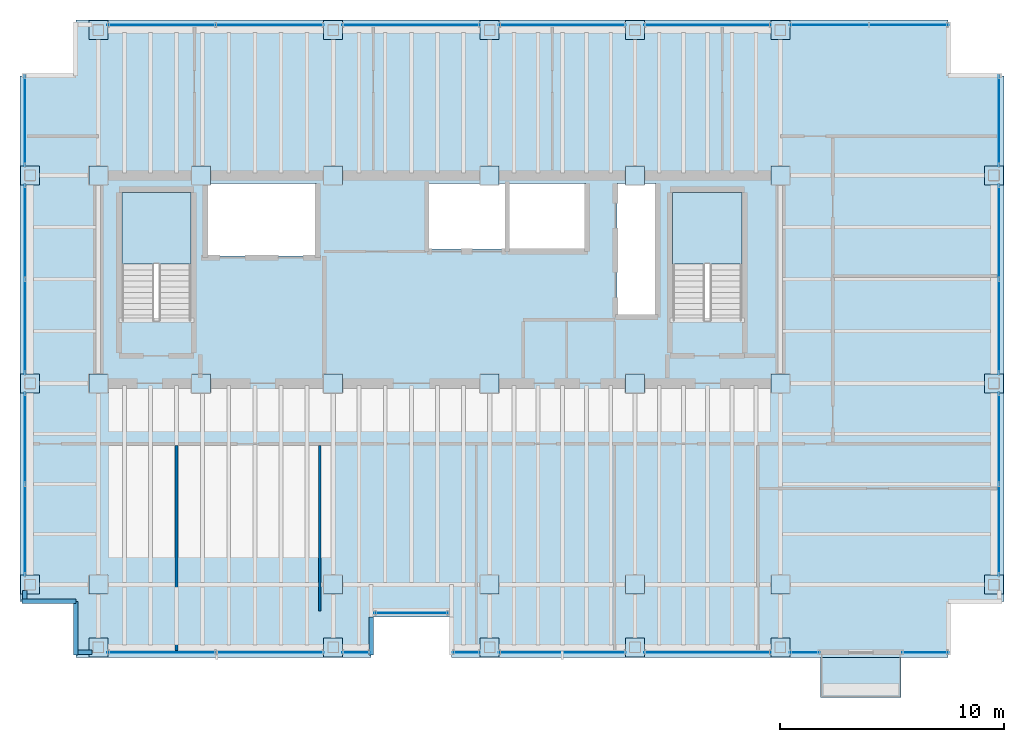
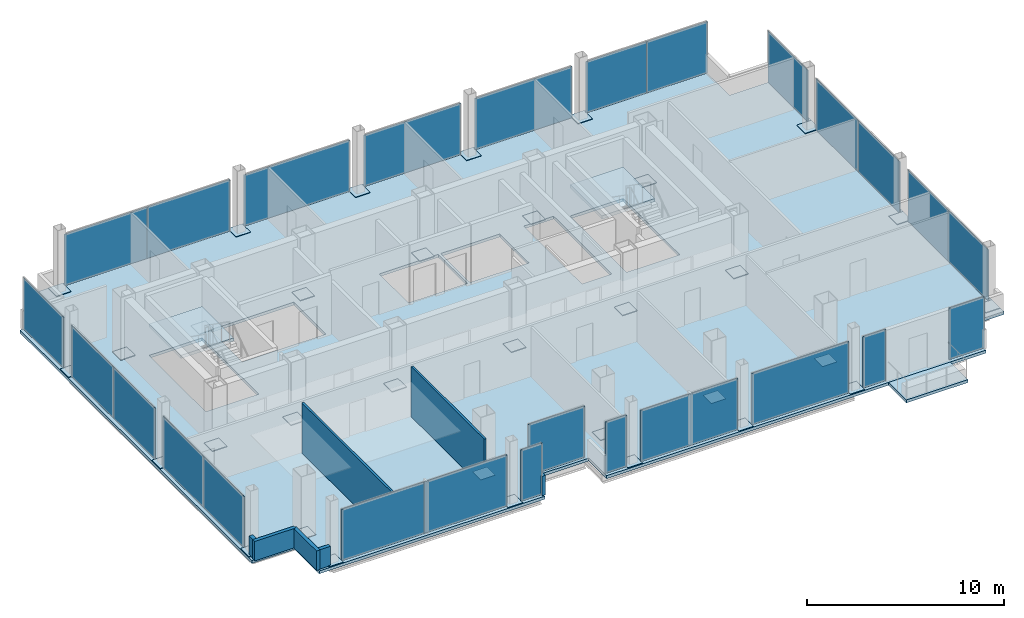
# One storey, part 12 of 16: 59 plates, 7 walls, 4 slabs, 6 openings, 21 elements without a shape of their own.
"""IFC4 building model written with IfcOpenShell, lengths in metres."""

from ifc_helpers import new_model, si_unit, direction, frame, frame_2d, origin, origin_2d, place, context, subcontext, project, spatial, polyline, rectangle, outline, extrude, material, layer, layer_set, type_object, element, aggregate, save


model = new_model("IFC4")

# Units and contexts
model_context = context("Model", 3, precision=1e-05, world=origin(), true_north=direction((0.0, 1.0)))
body_context = subcontext(model_context, "Body", "Model", "MODEL_VIEW")
ifc_project = project(units=[si_unit("LENGTHUNIT", "METRE"), si_unit("AREAUNIT", "SQUARE_METRE"), si_unit("VOLUMEUNIT", "CUBIC_METRE"), si_unit("PLANEANGLEUNIT", "RADIAN"), si_unit("MASSUNIT", "GRAM", prefix="KILO")], contexts=[model_context])

# Site, building, storey
site_placement = place(None, origin())
site = spatial("IfcSite", under=ifc_project, at=site_placement, CompositionType="ELEMENT")
building_placement = place(site_placement, origin())
building = spatial("IfcBuilding", under=site, at=building_placement, Name="Noeulbin Bourse Tower", CompositionType="ELEMENT")
storey_placement = place(building_placement, frame((0.0, 0.0, 181.199951171875)))
storey = spatial("IfcBuildingStorey", under=building, at=storey_placement, Name="L45", CompositionType="ELEMENT", Elevation=181.199951171875)

# Curtain wall, plate
ifc_material_1 = material(Name="Dark Tinted Triple Glazing", Category="glass")
curtain_wall_type = type_object("IfcCurtainWallType", Name="CW-SYS-3", PredefinedType="NOTDEFINED", material=ifc_material_1)
curtain_wall_1_placement = place(storey_placement, origin())
curtain_wall_1 = element("IfcCurtainWall", 1, at=curtain_wall_1_placement, inside=storey, type_object=curtain_wall_type, Name="Unitised Curtain Wall CW-L45-SREC", PredefinedType="NOTDEFINED")
ifc_layer_1 = layer(ifc_material_1, 0.035888671875)
ifc_layer_set_1 = layer_set([ifc_layer_1], Name="Dark Tinted Triple Glazing")
plate_type_1 = type_object("IfcPlateType", Name="CW-SYS-3-PNL", PredefinedType="CURTAIN_PANEL", material=ifc_layer_set_1)
plate_1_placement = place(storey_placement, frame((27.5, 18.72998046875, 0.0), z_axis=(0.0, 0.0, 1.0), x_axis=(1.0, 0.0, 0.0)))
plate_1 = element("IfcPlate", 2, at=plate_1_placement, type_object=plate_type_1, Name="Glazed Curtain Panel CW-L45-SREC-P00", PredefinedType="CURTAIN_PANEL", context=body_context, shape_type="SweptSolid", body=[
    extrude(rectangle(XDim=3.300048828125, YDim=0.035888671875, at=origin_2d()), origin(), (0.0, 0.0, 1.0), 3.179931640625),
])
aggregate(curtain_wall_1, [plate_1])

# Curtain wall, plates
curtain_wall_2_placement = place(storey_placement, origin())
curtain_wall_2 = element("IfcCurtainWall", 3, at=curtain_wall_2_placement, inside=storey, type_object=curtain_wall_type, Name="Unitised Curtain Wall CW-L45-S1-S1", PredefinedType="NOTDEFINED")
plate_2_placement = place(storey_placement, frame((16.330078125, 16.969970703125, 0.0), z_axis=(0.0, 0.0, 1.0), x_axis=(1.0, 0.0, 0.0)))
plate_2 = element("IfcPlate", 4, at=plate_2_placement, type_object=plate_type_1, Name="Glazed Curtain Panel CW-L45-S1-S1-P00", PredefinedType="CURTAIN_PANEL", context=body_context, shape_type="SweptSolid", body=[
    extrude(rectangle(XDim=4.840087890625, YDim=0.035888671875, at=origin_2d()), origin(), (0.0, 0.0, 1.0), 3.179931640625),
])
plate_3_placement = place(storey_placement, frame((21.169921875, 16.969970703125, 0.0), z_axis=(0.0, 0.0, 1.0), x_axis=(1.0, 0.0, 0.0)))
plate_3 = element("IfcPlate", 5, at=plate_3_placement, type_object=plate_type_1, Name="Glazed Curtain Panel CW-L45-S1-S1-P01", PredefinedType="CURTAIN_PANEL", context=body_context, shape_type="SweptSolid", body=[
    extrude(rectangle(XDim=4.840087890625, YDim=0.035888671875, at=origin_2d()), origin(), (0.0, 0.0, 1.0), 3.179931640625),
])
aggregate(curtain_wall_2, [plate_2, plate_3])

# Curtain wall, plate
curtain_wall_3_placement = place(storey_placement, origin())
curtain_wall_3 = element("IfcCurtainWall", 6, at=curtain_wall_3_placement, inside=storey, type_object=curtain_wall_type, Name="Unitised Curtain Wall CW-L45-S1-S2", PredefinedType="NOTDEFINED")
plate_4_placement = place(storey_placement, frame((25.030029296875, 16.969970703125, 0.0), z_axis=(0.0, 0.0, 1.0), x_axis=(1.0, 0.0, 0.0)))
plate_4 = element("IfcPlate", 7, at=plate_4_placement, type_object=plate_type_1, Name="Glazed Curtain Panel CW-L45-S1-S2-P00", PredefinedType="CURTAIN_PANEL", context=body_context, shape_type="SweptSolid", body=[
    extrude(rectangle(XDim=1.239990234375, YDim=0.035888671875, at=origin_2d()), origin(), (0.0, 0.0, 1.0), 3.179931640625),
])
aggregate(curtain_wall_3, [plate_4])

curtain_wall_4_placement = place(storey_placement, origin())
curtain_wall_4 = element("IfcCurtainWall", 8, at=curtain_wall_4_placement, inside=storey, type_object=curtain_wall_type, Name="Unitised Curtain Wall CW-L45-S2-S1", PredefinedType="NOTDEFINED")
plate_5_placement = place(storey_placement, frame((29.969970703125, 16.969970703125, 0.0), z_axis=(0.0, 0.0, 1.0), x_axis=(1.0, 0.0, 0.0)))
plate_5 = element("IfcPlate", 9, at=plate_5_placement, type_object=plate_type_1, Name="Glazed Curtain Panel CW-L45-S2-S1-P00", PredefinedType="CURTAIN_PANEL", context=body_context, shape_type="SweptSolid", body=[
    extrude(rectangle(XDim=1.239990234375, YDim=0.035888671875, at=origin_2d()), origin(), (0.0, 0.0, 1.0), 3.179931640625),
])
aggregate(curtain_wall_4, [plate_5])

curtain_wall_5_placement = place(storey_placement, origin())
curtain_wall_5 = element("IfcCurtainWall", 10, at=curtain_wall_5_placement, inside=storey, type_object=curtain_wall_type, Name="Unitised Curtain Wall CW-L45-S2-S2", PredefinedType="NOTDEFINED")
plate_6_placement = place(storey_placement, frame((34.25, 16.969970703125, 0.0), z_axis=(0.0, 0.0, 1.0), x_axis=(1.0, 0.0, 0.0)))
plate_6 = element("IfcPlate", 11, at=plate_6_placement, type_object=plate_type_1, Name="Glazed Curtain Panel CW-L45-S2-S2-P00", PredefinedType="CURTAIN_PANEL", context=body_context, shape_type="SweptSolid", body=[
    extrude(rectangle(XDim=5.679931640625, YDim=0.035888671875, at=origin_2d()), origin(), (0.0, 0.0, 1.0), 3.179931640625),
])
aggregate(curtain_wall_5, [plate_6])

curtain_wall_6_placement = place(storey_placement, origin())
curtain_wall_6 = element("IfcCurtainWall", 12, at=curtain_wall_6_placement, inside=storey, type_object=curtain_wall_type, Name="Unitised Curtain Wall CW-L45-S2-S3", PredefinedType="NOTDEFINED")
plate_7_placement = place(storey_placement, frame((40.75, 16.969970703125, 0.0), z_axis=(0.0, 0.0, 1.0), x_axis=(1.0, 0.0, 0.0)))
plate_7 = element("IfcPlate", 13, at=plate_7_placement, type_object=plate_type_1, Name="Glazed Curtain Panel CW-L45-S2-S3-P00", PredefinedType="CURTAIN_PANEL", context=body_context, shape_type="SweptSolid", body=[
    extrude(rectangle(XDim=5.679931640625, YDim=0.035888671875, at=origin_2d()), origin(), (0.0, 0.0, 1.0), 3.179931640625),
])
aggregate(curtain_wall_6, [plate_7])

curtain_wall_7_placement = place(storey_placement, origin())
curtain_wall_7 = element("IfcCurtainWall", 14, at=curtain_wall_7_placement, inside=storey, type_object=curtain_wall_type, Name="Unitised Curtain Wall CW-L45-S2-S4", PredefinedType="NOTDEFINED")
plate_8_placement = place(storey_placement, frame((45.080078125, 16.969970703125, 0.0), z_axis=(0.0, 0.0, 1.0), x_axis=(1.0, 0.0, 0.0)))
plate_8 = element("IfcPlate", 15, at=plate_8_placement, type_object=plate_type_1, Name="Glazed Curtain Panel CW-L45-S2-S4-P00", PredefinedType="CURTAIN_PANEL", context=body_context, shape_type="SweptSolid", body=[
    extrude(rectangle(XDim=1.340087890625, YDim=0.035888671875, at=origin_2d()), origin(), (0.0, 0.0, 1.0), 3.179931640625),
])
aggregate(curtain_wall_7, [plate_8])

curtain_wall_8_placement = place(storey_placement, origin())
curtain_wall_8 = element("IfcCurtainWall", 16, at=curtain_wall_8_placement, inside=storey, type_object=curtain_wall_type, Name="Unitised Curtain Wall CW-L45-S3", PredefinedType="NOTDEFINED")
plate_9_placement = place(storey_placement, frame((50.485107421875, 16.969970703125, 0.0), z_axis=(0.0, 0.0, 1.0), x_axis=(1.0, 0.0, 0.0)))
plate_9 = element("IfcPlate", 17, at=plate_9_placement, type_object=plate_type_1, Name="Glazed Curtain Panel CW-L45-S3-P00", PredefinedType="CURTAIN_PANEL", context=body_context, shape_type="SweptSolid", body=[
    extrude(rectangle(XDim=2.070068359375, YDim=0.035888671875, at=origin_2d()), origin(), (0.0, 0.0, 1.0), 3.179931640625),
])
aggregate(curtain_wall_8, [plate_9])

# Curtain wall, plates
curtain_wall_9_placement = place(storey_placement, origin())
curtain_wall_9 = element("IfcCurtainWall", 18, at=curtain_wall_9_placement, inside=storey, type_object=curtain_wall_type, Name="Unitised Curtain Wall CW-L45-N-S1", PredefinedType="NOTDEFINED")
plate_10_placement = place(storey_placement, frame((16.330078125, 45.030029296875, 0.0), z_axis=(0.0, 0.0, 1.0), x_axis=(1.0, 0.0, 0.0)))
plate_10 = element("IfcPlate", 19, at=plate_10_placement, type_object=plate_type_1, Name="Glazed Curtain Panel CW-L45-N-S1-P00", PredefinedType="CURTAIN_PANEL", context=body_context, shape_type="SweptSolid", body=[
    extrude(rectangle(XDim=4.840087890625, YDim=0.035888671875, at=origin_2d()), origin(), (0.0, 0.0, 1.0), 3.179931640625),
])
plate_11_placement = place(storey_placement, frame((21.169921875, 45.030029296875, 0.0), z_axis=(0.0, 0.0, 1.0), x_axis=(1.0, 0.0, 0.0)))
plate_11 = element("IfcPlate", 20, at=plate_11_placement, type_object=plate_type_1, Name="Glazed Curtain Panel CW-L45-N-S1-P01", PredefinedType="CURTAIN_PANEL", context=body_context, shape_type="SweptSolid", body=[
    extrude(rectangle(XDim=4.840087890625, YDim=0.035888671875, at=origin_2d()), origin(), (0.0, 0.0, 1.0), 3.179931640625),
])
aggregate(curtain_wall_9, [plate_10, plate_11])

# Curtain wall, plate
curtain_wall_10_placement = place(storey_placement, origin())
curtain_wall_10 = element("IfcCurtainWall", 21, at=curtain_wall_10_placement, inside=storey, type_object=curtain_wall_type, Name="Unitised Curtain Wall CW-L45-N-S2", PredefinedType="NOTDEFINED")
plate_12_placement = place(storey_placement, frame((27.5, 45.030029296875, 0.0), z_axis=(0.0, 0.0, 1.0), x_axis=(1.0, 0.0, 0.0)))
plate_12 = element("IfcPlate", 22, at=plate_12_placement, type_object=plate_type_1, Name="Glazed Curtain Panel CW-L45-N-S2-P00", PredefinedType="CURTAIN_PANEL", context=body_context, shape_type="SweptSolid", body=[
    extrude(rectangle(XDim=6.179931640625, YDim=0.035888671875, at=origin_2d()), origin(), (0.0, 0.0, 1.0), 3.179931640625),
])
aggregate(curtain_wall_10, [plate_12])

curtain_wall_11_placement = place(storey_placement, origin())
curtain_wall_11 = element("IfcCurtainWall", 23, at=curtain_wall_11_placement, inside=storey, type_object=curtain_wall_type, Name="Unitised Curtain Wall CW-L45-N-S3", PredefinedType="NOTDEFINED")
plate_13_placement = place(storey_placement, frame((34.25, 45.030029296875, 0.0), z_axis=(0.0, 0.0, 1.0), x_axis=(1.0, 0.0, 0.0)))
plate_13 = element("IfcPlate", 24, at=plate_13_placement, type_object=plate_type_1, Name="Glazed Curtain Panel CW-L45-N-S3-P00", PredefinedType="CURTAIN_PANEL", context=body_context, shape_type="SweptSolid", body=[
    extrude(rectangle(XDim=5.679931640625, YDim=0.035888671875, at=origin_2d()), origin(), (0.0, 0.0, 1.0), 3.179931640625),
])
aggregate(curtain_wall_11, [plate_13])

curtain_wall_12_placement = place(storey_placement, origin())
curtain_wall_12 = element("IfcCurtainWall", 25, at=curtain_wall_12_placement, inside=storey, type_object=curtain_wall_type, Name="Unitised Curtain Wall CW-L45-N-S4", PredefinedType="NOTDEFINED")
plate_14_placement = place(storey_placement, frame((40.75, 45.030029296875, 0.0), z_axis=(0.0, 0.0, 1.0), x_axis=(1.0, 0.0, 0.0)))
plate_14 = element("IfcPlate", 26, at=plate_14_placement, type_object=plate_type_1, Name="Glazed Curtain Panel CW-L45-N-S4-P00", PredefinedType="CURTAIN_PANEL", context=body_context, shape_type="SweptSolid", body=[
    extrude(rectangle(XDim=5.679931640625, YDim=0.035888671875, at=origin_2d()), origin(), (0.0, 0.0, 1.0), 3.179931640625),
])
aggregate(curtain_wall_12, [plate_14])

# Curtain wall, plates
curtain_wall_13_placement = place(storey_placement, origin())
curtain_wall_13 = element("IfcCurtainWall", 27, at=curtain_wall_13_placement, inside=storey, type_object=curtain_wall_type, Name="Unitised Curtain Wall CW-L45-N-S5", PredefinedType="NOTDEFINED")
plate_15_placement = place(storey_placement, frame((46.1875, 45.030029296875, 0.0), z_axis=(0.0, 0.0, 1.0), x_axis=(1.0, 0.0, 0.0)))
plate_15 = element("IfcPlate", 28, at=plate_15_placement, type_object=plate_type_1, Name="Glazed Curtain Panel CW-L45-N-S5-P00", PredefinedType="CURTAIN_PANEL", context=body_context, shape_type="SweptSolid", body=[
    extrude(rectangle(XDim=3.554931640625, YDim=0.035888671875, at=origin_2d()), origin(), (0.0, 0.0, 1.0), 3.179931640625),
])
plate_16_placement = place(storey_placement, frame((49.742431640625, 45.030029296875, 0.0), z_axis=(0.0, 0.0, 1.0), x_axis=(1.0, 0.0, 0.0)))
plate_16 = element("IfcPlate", 29, at=plate_16_placement, type_object=plate_type_1, Name="Glazed Curtain Panel CW-L45-N-S5-P01", PredefinedType="CURTAIN_PANEL", context=body_context, shape_type="SweptSolid", body=[
    extrude(rectangle(XDim=3.554931640625, YDim=0.035888671875, at=origin_2d()), origin(), (0.0, 0.0, 1.0), 3.179931640625),
])
aggregate(curtain_wall_13, [plate_15, plate_16])

curtain_wall_14_placement = place(storey_placement, origin())
curtain_wall_14 = element("IfcCurtainWall", 30, at=curtain_wall_14_placement, inside=storey, type_object=curtain_wall_type, Name="Unitised Curtain Wall CW-L45-W-S1", PredefinedType="NOTDEFINED")
plate_17_placement = place(storey_placement, frame((10.219970703125, 22.455078125, 0.0), z_axis=(0.0, 0.0, 1.0), x_axis=(0.0, 1.0, 0.0)))
plate_17 = element("IfcPlate", 31, at=plate_17_placement, type_object=plate_type_1, Name="Glazed Curtain Panel CW-L45-W-S1-P00", PredefinedType="CURTAIN_PANEL", context=body_context, shape_type="SweptSolid", body=[
    extrude(rectangle(XDim=4.090087890625, YDim=0.035888671875, at=origin_2d()), origin(), (0.0, 0.0, 1.0), 3.179931640625),
])
plate_18_placement = place(storey_placement, frame((10.219970703125, 26.544921875, 0.0), z_axis=(0.0, 0.0, 1.0), x_axis=(0.0, 1.0, 0.0)))
plate_18 = element("IfcPlate", 32, at=plate_18_placement, type_object=plate_type_1, Name="Glazed Curtain Panel CW-L45-W-S1-P01", PredefinedType="CURTAIN_PANEL", context=body_context, shape_type="SweptSolid", body=[
    extrude(rectangle(XDim=4.090087890625, YDim=0.035888671875, at=origin_2d()), origin(), (0.0, 0.0, 1.0), 3.179931640625),
])
aggregate(curtain_wall_14, [plate_17, plate_18])

curtain_wall_15_placement = place(storey_placement, origin())
curtain_wall_15 = element("IfcCurtainWall", 33, at=curtain_wall_15_placement, inside=storey, type_object=curtain_wall_type, Name="Unitised Curtain Wall CW-L45-W-S2", PredefinedType="NOTDEFINED")
plate_19_placement = place(storey_placement, frame((10.219970703125, 31.530029296875, 0.0), z_axis=(0.0, 0.0, 1.0), x_axis=(0.0, 1.0, 0.0)))
plate_19 = element("IfcPlate", 34, at=plate_19_placement, type_object=plate_type_1, Name="Glazed Curtain Panel CW-L45-W-S2-P00", PredefinedType="CURTAIN_PANEL", context=body_context, shape_type="SweptSolid", body=[
    extrude(rectangle(XDim=4.239990234375, YDim=0.035888671875, at=origin_2d()), origin(), (0.0, 0.0, 1.0), 3.179931640625),
])
plate_20_placement = place(storey_placement, frame((10.219970703125, 35.77001953125, 0.0), z_axis=(0.0, 0.0, 1.0), x_axis=(0.0, 1.0, 0.0)))
plate_20 = element("IfcPlate", 35, at=plate_20_placement, type_object=plate_type_1, Name="Glazed Curtain Panel CW-L45-W-S2-P01", PredefinedType="CURTAIN_PANEL", context=body_context, shape_type="SweptSolid", body=[
    extrude(rectangle(XDim=4.239990234375, YDim=0.035888671875, at=origin_2d()), origin(), (0.0, 0.0, 1.0), 3.179931640625),
])
aggregate(curtain_wall_15, [plate_19, plate_20])

# Curtain wall, plate
curtain_wall_16_placement = place(storey_placement, origin())
curtain_wall_16 = element("IfcCurtainWall", 36, at=curtain_wall_16_placement, inside=storey, type_object=curtain_wall_type, Name="Unitised Curtain Wall CW-L45-W-S3", PredefinedType="NOTDEFINED")
plate_21_placement = place(storey_placement, frame((10.219970703125, 40.739990234375, 0.0), z_axis=(0.0, 0.0, 1.0), x_axis=(0.0, 1.0, 0.0)))
plate_21 = element("IfcPlate", 37, at=plate_21_placement, type_object=plate_type_1, Name="Glazed Curtain Panel CW-L45-W-S3-P00", PredefinedType="CURTAIN_PANEL", context=body_context, shape_type="SweptSolid", body=[
    extrude(rectangle(XDim=4.06005859375, YDim=0.035888671875, at=origin_2d()), origin(), (0.0, 0.0, 1.0), 3.179931640625),
])
aggregate(curtain_wall_16, [plate_21])

# Curtain wall, plates
curtain_wall_17_placement = place(storey_placement, origin())
curtain_wall_17 = element("IfcCurtainWall", 38, at=curtain_wall_17_placement, inside=storey, type_object=curtain_wall_type, Name="Unitised Curtain Wall CW-L45-E-S1", PredefinedType="NOTDEFINED")
plate_22_placement = place(storey_placement, frame((53.780029296875, 22.455078125, 0.0), z_axis=(0.0, 0.0, 1.0), x_axis=(0.0, 1.0, 0.0)))
plate_22 = element("IfcPlate", 39, at=plate_22_placement, type_object=plate_type_1, Name="Glazed Curtain Panel CW-L45-E-S1-P00", PredefinedType="CURTAIN_PANEL", context=body_context, shape_type="SweptSolid", body=[
    extrude(rectangle(XDim=4.090087890625, YDim=0.035888671875, at=origin_2d()), origin(), (0.0, 0.0, 1.0), 3.179931640625),
])
plate_23_placement = place(storey_placement, frame((53.780029296875, 26.544921875, 0.0), z_axis=(0.0, 0.0, 1.0), x_axis=(0.0, 1.0, 0.0)))
plate_23 = element("IfcPlate", 40, at=plate_23_placement, type_object=plate_type_1, Name="Glazed Curtain Panel CW-L45-E-S1-P01", PredefinedType="CURTAIN_PANEL", context=body_context, shape_type="SweptSolid", body=[
    extrude(rectangle(XDim=4.090087890625, YDim=0.035888671875, at=origin_2d()), origin(), (0.0, 0.0, 1.0), 3.179931640625),
])
aggregate(curtain_wall_17, [plate_22, plate_23])

curtain_wall_18_placement = place(storey_placement, origin())
curtain_wall_18 = element("IfcCurtainWall", 41, at=curtain_wall_18_placement, inside=storey, type_object=curtain_wall_type, Name="Unitised Curtain Wall CW-L45-E-S2", PredefinedType="NOTDEFINED")
plate_24_placement = place(storey_placement, frame((53.780029296875, 31.530029296875, 0.0), z_axis=(0.0, 0.0, 1.0), x_axis=(0.0, 1.0, 0.0)))
plate_24 = element("IfcPlate", 42, at=plate_24_placement, type_object=plate_type_1, Name="Glazed Curtain Panel CW-L45-E-S2-P00", PredefinedType="CURTAIN_PANEL", context=body_context, shape_type="SweptSolid", body=[
    extrude(rectangle(XDim=4.239990234375, YDim=0.035888671875, at=origin_2d()), origin(), (0.0, 0.0, 1.0), 3.179931640625),
])
plate_25_placement = place(storey_placement, frame((53.780029296875, 35.77001953125, 0.0), z_axis=(0.0, 0.0, 1.0), x_axis=(0.0, 1.0, 0.0)))
plate_25 = element("IfcPlate", 43, at=plate_25_placement, type_object=plate_type_1, Name="Glazed Curtain Panel CW-L45-E-S2-P01", PredefinedType="CURTAIN_PANEL", context=body_context, shape_type="SweptSolid", body=[
    extrude(rectangle(XDim=4.239990234375, YDim=0.035888671875, at=origin_2d()), origin(), (0.0, 0.0, 1.0), 3.179931640625),
])
aggregate(curtain_wall_18, [plate_24, plate_25])

# Curtain wall, plate
curtain_wall_19_placement = place(storey_placement, origin())
curtain_wall_19 = element("IfcCurtainWall", 44, at=curtain_wall_19_placement, inside=storey, type_object=curtain_wall_type, Name="Unitised Curtain Wall CW-L45-E-S3", PredefinedType="NOTDEFINED")
plate_26_placement = place(storey_placement, frame((53.780029296875, 40.739990234375, 0.0), z_axis=(0.0, 0.0, 1.0), x_axis=(0.0, 1.0, 0.0)))
plate_26 = element("IfcPlate", 45, at=plate_26_placement, type_object=plate_type_1, Name="Glazed Curtain Panel CW-L45-E-S3-P00", PredefinedType="CURTAIN_PANEL", context=body_context, shape_type="SweptSolid", body=[
    extrude(rectangle(XDim=4.06005859375, YDim=0.035888671875, at=origin_2d()), origin(), (0.0, 0.0, 1.0), 3.179931640625),
])
aggregate(curtain_wall_19, [plate_26])

# Plates
ifc_material_2 = material(Name="Steel S355", Category="steel")
ifc_layer_2 = layer(ifc_material_2, 0.030029296875)
ifc_layer_set_2 = layer_set([ifc_layer_2], Name="Steel S355")
plate_type_2 = type_object("IfcPlateType", Name="PLT-BN1", PredefinedType="USERDEFINED", material=ifc_layer_set_2)
for number, where, z_axis, x_axis, name in (
    (46, (13.5, 29.0, 0.0048828125), (0.0, 0.0, 1.0), (1.0, 0.0, 0.0), "Mega-Column Splice Plate BN1-L45-01"),
    (47, (13.5, 38.300048828125, 0.0048828125), (0.0, 0.0, 1.0), (1.0, 0.0, 0.0), "Mega-Column Splice Plate BN1-L45-02"),
    (48, (18.10009765625, 29.0, 0.0048828125), (0.0, 0.0, 1.0), (1.0, 0.0, 0.0), "Mega-Column Splice Plate BN1-L45-03"),
    (49, (18.10009765625, 38.300048828125, 0.0048828125), (0.0, 0.0, 1.0), (1.0, 0.0, 0.0), "Mega-Column Splice Plate BN1-L45-04"),
    (50, (24.0, 29.0, 0.0048828125), (0.0, 0.0, 1.0), (1.0, 0.0, 0.0), "Mega-Column Splice Plate BN1-L45-05"),
    (51, (24.0, 38.300048828125, 0.0048828125), (0.0, 0.0, 1.0), (1.0, 0.0, 0.0), "Mega-Column Splice Plate BN1-L45-06"),
    (52, (31.0, 29.0, 0.0048828125), (0.0, 0.0, 1.0), (1.0, 0.0, 0.0), "Mega-Column Splice Plate BN1-L45-07"),
    (53, (31.0, 38.300048828125, 0.0048828125), (0.0, 0.0, 1.0), (1.0, 0.0, 0.0), "Mega-Column Splice Plate BN1-L45-08"),
    (54, (37.5, 29.0, 0.0048828125), (0.0, 0.0, 1.0), (1.0, 0.0, 0.0), "Mega-Column Splice Plate BN1-L45-09"),
    (55, (37.5, 38.300048828125, 0.0048828125), (0.0, 0.0, 1.0), (1.0, 0.0, 0.0), "Mega-Column Splice Plate BN1-L45-10"),
    (56, (44.0, 29.0, 0.0048828125), (0.0, 0.0, 1.0), (1.0, 0.0, 0.0), "Mega-Column Splice Plate BN1-L45-11"),
    (57, (44.0, 38.300048828125, 0.0048828125), (0.0, 0.0, 1.0), (1.0, 0.0, 0.0), "Mega-Column Splice Plate BN1-L45-12"),
    (58, (13.5, 20.0, 0.0048828125), (0.0, 0.0, 1.0), (1.0, 0.0, 0.0), "Mega-Column Splice Plate BN1-L45-13"),
    (59, (24.0, 20.0, 0.0048828125), (0.0, 0.0, 1.0), (1.0, 0.0, 0.0), "Mega-Column Splice Plate BN1-L45-14"),
    (60, (31.0, 20.0, 0.0048828125), (0.0, 0.0, 1.0), (1.0, 0.0, 0.0), "Mega-Column Splice Plate BN1-L45-15"),
    (61, (37.5, 20.0, 0.0048828125), (0.0, 0.0, 1.0), (1.0, 0.0, 0.0), "Mega-Column Splice Plate BN1-L45-16"),
    (62, (44.0, 20.0, 0.0048828125), (0.0, 0.0, 1.0), (1.0, 0.0, 0.0), "Mega-Column Splice Plate BN1-L45-17"),
    (63, (10.449951171875, 20.0, 0.0048828125), (0.0, 0.0, 1.0), (1.0, 0.0, 0.0), "Perimeter Column Splice Plate BN1-L45-01"),
    (64, (10.449951171875, 29.0, 0.0048828125), (0.0, 0.0, 1.0), (1.0, 0.0, 0.0), "Perimeter Column Splice Plate BN1-L45-02"),
    (65, (10.449951171875, 38.300048828125, 0.0048828125), (0.0, 0.0, 1.0), (1.0, 0.0, 0.0), "Perimeter Column Splice Plate BN1-L45-03"),
    (66, (13.5, 17.199951171875, 0.0048828125), (0.0, 0.0, 1.0), (1.0, 0.0, 0.0), "Perimeter Column Splice Plate BN1-L45-04"),
    (67, (13.5, 44.800048828125, 0.0048828125), (0.0, 0.0, 1.0), (1.0, 0.0, 0.0), "Perimeter Column Splice Plate BN1-L45-05"),
    (68, (24.0, 17.199951171875, 0.0048828125), (0.0, 0.0, 1.0), (1.0, 0.0, 0.0), "Perimeter Column Splice Plate BN1-L45-06"),
    (69, (24.0, 44.800048828125, 0.0048828125), (0.0, 0.0, 1.0), (1.0, 0.0, 0.0), "Perimeter Column Splice Plate BN1-L45-07"),
    (70, (31.0, 17.199951171875, 0.0048828125), (0.0, 0.0, 1.0), (1.0, 0.0, 0.0), "Perimeter Column Splice Plate BN1-L45-08"),
    (71, (31.0, 44.800048828125, 0.0048828125), (0.0, 0.0, 1.0), (1.0, 0.0, 0.0), "Perimeter Column Splice Plate BN1-L45-09"),
    (72, (37.5, 17.199951171875, 0.0048828125), (0.0, 0.0, 1.0), (1.0, 0.0, 0.0), "Perimeter Column Splice Plate BN1-L45-10"),
    (73, (37.5, 44.800048828125, 0.0048828125), (0.0, 0.0, 1.0), (1.0, 0.0, 0.0), "Perimeter Column Splice Plate BN1-L45-11"),
    (74, (44.0, 17.199951171875, 0.0048828125), (0.0, 0.0, 1.0), (1.0, 0.0, 0.0), "Perimeter Column Splice Plate BN1-L45-12"),
    (75, (44.0, 44.800048828125, 0.0048828125), (0.0, 0.0, 1.0), (1.0, 0.0, 0.0), "Perimeter Column Splice Plate BN1-L45-13"),
    (76, (53.550048828125, 20.0, 0.0048828125), (0.0, 0.0, 1.0), (1.0, 0.0, 0.0), "Perimeter Column Splice Plate BN1-L45-14"),
    (77, (53.550048828125, 29.0, 0.0048828125), (0.0, 0.0, 1.0), (1.0, 0.0, 0.0), "Perimeter Column Splice Plate BN1-L45-15"),
    (78, (53.550048828125, 38.300048828125, 0.0048828125), (0.0, 0.0, 1.0), (1.0, 0.0, 0.0), "Perimeter Column Splice Plate BN1-L45-16"),
):
    element("IfcPlate", number, at=place(storey_placement, frame(where, z_axis=z_axis, x_axis=x_axis)), inside=storey, type_object=plate_type_2, Name=name, ObjectType="SPLICE PLATE", PredefinedType="USERDEFINED", context=body_context, shape_type="SweptSolid", body=[
        extrude(rectangle(XDim=0.85009765625, YDim=0.85009765625, at=origin_2d()), origin(), (0.0, 0.0, 1.0), 0.030029296875),
    ])

# Stair, slab
ifc_material_3 = material(Name="Concrete C40/50", Category="concrete")
stair_type = type_object("IfcStairType", Name="STR-CORE-1560", PredefinedType="HALF_TURN_STAIR", material=ifc_material_3)
stair_1_placement = place(storey_placement, origin())
stair_1 = element("IfcStair", 79, at=stair_1_placement, inside=storey, type_object=stair_type, Name="L45 ST-1", PredefinedType="HALF_TURN_STAIR")
ifc_layer_3 = layer(ifc_material_3, 0.199951171875)
ifc_layer_set_3 = layer_set([ifc_layer_3], Name="Concrete C40/50")
slab_type_1 = type_object("IfcSlabType", Name="SLB-LND-200", PredefinedType="LANDING", material=ifc_layer_set_3)
slab_1_placement = place(storey_placement, frame((0.0, 0.0, 1.75)))
slab_1 = element("IfcSlab", 80, at=slab_1_placement, type_object=slab_type_1, Name="ST-1 landing 1", PredefinedType="LANDING", context=body_context, shape_type="SweptSolid", body=[
    extrude(outline(polyline([(17.64990234375, 34.330078125), (17.64990234375, 37.5439453125), (14.550048828125, 37.5439453125), (14.550048828125, 34.330078125), (17.64990234375, 34.330078125)])), origin(), (0.0, 0.0, 1.0), 0.199951171875),
])
aggregate(stair_1, [slab_1])

stair_2_placement = place(storey_placement, origin())
stair_2 = element("IfcStair", 81, at=stair_2_placement, inside=storey, type_object=stair_type, Name="L45 ST-2", PredefinedType="HALF_TURN_STAIR")
slab_2_placement = place(storey_placement, frame((0.0, 0.0, 1.75)))
slab_2 = element("IfcSlab", 82, at=slab_2_placement, type_object=slab_type_1, Name="ST-2 landing 1", PredefinedType="LANDING", context=body_context, shape_type="SweptSolid", body=[
    extrude(outline(polyline([(42.280029296875, 34.330078125), (42.280029296875, 37.5439453125), (39.179931640625, 37.5439453125), (39.179931640625, 34.330078125), (42.280029296875, 34.330078125)])), origin(), (0.0, 0.0, 1.0), 0.199951171875),
])
aggregate(stair_2, [slab_2])

# Slab, openings
ifc_layer_4 = layer(ifc_material_3, 0.179931640625)
ifc_layer_set_4 = layer_set([ifc_layer_4], Name="Concrete C40/50")
slab_type_2 = type_object("IfcSlabType", Name="SLB-TYP-180", PredefinedType="FLOOR", material=ifc_layer_set_4)
slab_3_placement = place(storey_placement, frame((0.0, 0.0, -0.179931640625)))
slab_3 = element("IfcSlab", 83, at=slab_3_placement, inside=storey, type_object=slab_type_2, Name="Tower Structural Floor Slab L45", PredefinedType="FLOOR", context=body_context, shape_type="SweptSolid", body=[
    extrude(outline(polyline([(12.5, 16.75), (25.699951171875, 16.75), (25.699951171875, 18.550048828125), (29.300048828125, 18.550048828125), (29.300048828125, 16.75), (51.5, 16.75), (51.5, 19.25), (54.0, 19.25), (54.0, 42.75), (51.5, 42.75), (51.5, 45.25), (12.5, 45.25), (12.5, 42.75), (10.0, 42.75), (10.0, 19.25), (12.5, 19.25), (12.5, 16.75)]), holes=[polyline([(17.64990234375, 31.81005859375), (17.64990234375, 37.5439453125), (14.550048828125, 37.5439453125), (14.550048828125, 31.81005859375), (17.64990234375, 31.81005859375)]), polyline([(42.280029296875, 31.81005859375), (42.280029296875, 37.5439453125), (39.179931640625, 37.5439453125), (39.179931640625, 31.81005859375), (42.280029296875, 31.81005859375)]), polyline([(18.35009765625, 34.699951171875), (23.25, 34.699951171875), (23.25, 37.949951171875), (18.35009765625, 37.949951171875), (18.35009765625, 34.699951171875)]), polyline([(36.699951171875, 32.050048828125), (38.449951171875, 32.050048828125), (38.449951171875, 37.949951171875), (36.699951171875, 37.949951171875), (36.699951171875, 32.050048828125)]), polyline([(28.25, 35.0), (31.699951171875, 35.0), (31.699951171875, 37.949951171875), (28.25, 37.949951171875), (28.25, 35.0)]), polyline([(31.85009765625, 35.0), (35.300048828125, 35.0), (35.300048828125, 37.949951171875), (31.85009765625, 37.949951171875), (31.85009765625, 35.0)])]), origin(), (0.0, 0.0, 1.0), 0.179931640625),
])
opening_1_placement = place(slab_3_placement, frame((0.0, 0.0, -0.010009765625)))
element("IfcOpeningElement", 84, at=opening_1_placement, cuts=slab_3, Name="Slab Shaft Opening SLB-L45-TWR-1", PredefinedType="OPENING", context=body_context, shape_type="SweptSolid", body=[
    extrude(outline(polyline([(17.64990234375, 31.81005859375), (17.64990234375, 37.5439453125), (14.550048828125, 37.5439453125), (14.550048828125, 31.81005859375), (17.64990234375, 31.81005859375)])), origin(), (0.0, 0.0, 1.0), 0.199951171875),
])
opening_2_placement = place(slab_3_placement, frame((0.0, 0.0, -0.010009765625)))
element("IfcOpeningElement", 85, at=opening_2_placement, cuts=slab_3, Name="Slab Shaft Opening SLB-L45-TWR-2", PredefinedType="OPENING", context=body_context, shape_type="SweptSolid", body=[
    extrude(outline(polyline([(42.280029296875, 31.81005859375), (42.280029296875, 37.5439453125), (39.179931640625, 37.5439453125), (39.179931640625, 31.81005859375), (42.280029296875, 31.81005859375)])), origin(), (0.0, 0.0, 1.0), 0.199951171875),
])
opening_3_placement = place(slab_3_placement, frame((0.0, 0.0, -0.010009765625)))
element("IfcOpeningElement", 86, at=opening_3_placement, cuts=slab_3, Name="Slab Shaft Opening SLB-L45-TWR-3", PredefinedType="OPENING", context=body_context, shape_type="SweptSolid", body=[
    extrude(outline(polyline([(18.35009765625, 34.699951171875), (23.25, 34.699951171875), (23.25, 37.949951171875), (18.35009765625, 37.949951171875), (18.35009765625, 34.699951171875)])), origin(), (0.0, 0.0, 1.0), 0.199951171875),
])
opening_4_placement = place(slab_3_placement, frame((0.0, 0.0, -0.010009765625)))
element("IfcOpeningElement", 87, at=opening_4_placement, cuts=slab_3, Name="Slab Shaft Opening SLB-L45-TWR-4", PredefinedType="OPENING", context=body_context, shape_type="SweptSolid", body=[
    extrude(outline(polyline([(36.699951171875, 32.050048828125), (38.449951171875, 32.050048828125), (38.449951171875, 37.949951171875), (36.699951171875, 37.949951171875), (36.699951171875, 32.050048828125)])), origin(), (0.0, 0.0, 1.0), 0.199951171875),
])
opening_5_placement = place(slab_3_placement, frame((0.0, 0.0, -0.010009765625)))
element("IfcOpeningElement", 88, at=opening_5_placement, cuts=slab_3, Name="Slab Shaft Opening SLB-L45-TWR-5", PredefinedType="OPENING", context=body_context, shape_type="SweptSolid", body=[
    extrude(outline(polyline([(28.25, 35.0), (31.699951171875, 35.0), (31.699951171875, 37.949951171875), (28.25, 37.949951171875), (28.25, 35.0)])), origin(), (0.0, 0.0, 1.0), 0.199951171875),
])
opening_6_placement = place(slab_3_placement, frame((0.0, 0.0, -0.010009765625)))
element("IfcOpeningElement", 89, at=opening_6_placement, cuts=slab_3, Name="Slab Shaft Opening SLB-L45-TWR-6", PredefinedType="OPENING", context=body_context, shape_type="SweptSolid", body=[
    extrude(outline(polyline([(31.85009765625, 35.0), (35.300048828125, 35.0), (35.300048828125, 37.949951171875), (31.85009765625, 37.949951171875), (31.85009765625, 35.0)])), origin(), (0.0, 0.0, 1.0), 0.199951171875),
])

# Slab
slab_4_placement = place(storey_placement, frame((0.0, 0.0, -0.179931640625)))
element("IfcSlab", 90, at=slab_4_placement, inside=storey, type_object=slab_type_2, Name="Cantilevered Tree-Balcony Slab L45", PredefinedType="FLOOR", context=body_context, shape_type="SweptSolid", body=[
    extrude(outline(polyline([(45.800048828125, 14.949951171875), (49.39990234375, 14.949951171875), (49.39990234375, 16.75), (45.800048828125, 16.75), (45.800048828125, 14.949951171875)])), origin(), (0.0, 0.0, 1.0), 0.179931640625),
])

# Walls
ifc_layer_5 = layer(ifc_material_3, 0.199951171875)
ifc_layer_set_5 = layer_set([ifc_layer_5], Name="Concrete C40/50")
wall_type_1 = type_object("IfcWallType", Name="WAL-PAR-200", PredefinedType="PARAPET", material=ifc_layer_set_5)
wall_1_placement = place(storey_placement, frame((10.219970703125, 19.35009765625, 0.0), z_axis=(0.0, 0.0, 1.0), x_axis=(0.0, 1.0, 0.0)))
element("IfcWall", 91, at=wall_1_placement, inside=storey, type_object=wall_type_1, Name="Perimeter Pier Spandrel Parapet L45-W2", PredefinedType="PARAPET", context=body_context, shape_type="SweptSolid", body=[
    extrude(rectangle(XDim=0.3798828125, YDim=0.199951171875, at=frame_2d((0.18994140625, 0.0))), origin(), (0.0, 0.0, 1.0), 1.199951171875),
])
wall_2_placement = place(storey_placement, frame((12.60009765625, 16.969970703125, 0.0), z_axis=(0.0, 0.0, 1.0), x_axis=(1.0, 0.0, 0.0)))
element("IfcWall", 92, at=wall_2_placement, inside=storey, type_object=wall_type_1, Name="Perimeter Pier Spandrel Parapet L45-S4", PredefinedType="PARAPET", context=body_context, shape_type="SweptSolid", body=[
    extrude(rectangle(XDim=0.6298828125, YDim=0.199951171875, at=frame_2d((0.31494140625, 0.0))), origin(), (0.0, 0.0, 1.0), 1.199951171875),
])
for number, where, z_axis, x_axis, name in (
    (93, (10.10009765625, 19.25, 0.0), (0.0, 0.0, 1.0), (1.0, 0.0, 0.0), "Corner Notch Parapet L45-SW1"),
    (94, (12.5, 19.25, 0.0), (0.0, 0.0, 1.0), (0.0, -1.0, 0.0), "Corner Notch Parapet L45-SW2"),
):
    element("IfcWall", number, at=place(storey_placement, frame(where, z_axis=z_axis, x_axis=x_axis)), inside=storey, type_object=wall_type_1, Name=name, PredefinedType="PARAPET", context=body_context, shape_type="SweptSolid", body=[
        extrude(rectangle(XDim=2.39990234375, YDim=0.199951171875, at=frame_2d((1.199951171875, 0.0))), origin(), (0.0, 0.0, 1.0), 1.199951171875),
    ])
wall_3_placement = place(storey_placement, frame((25.699951171875, 16.85009765625, 0.0), z_axis=(0.0, 0.0, 1.0), x_axis=(0.0, 1.0, 0.0)))
element("IfcWall", 95, at=wall_3_placement, inside=storey, type_object=wall_type_1, Name="Sky-Garden Recess Parapet L45-W", PredefinedType="PARAPET", context=body_context, shape_type="SweptSolid", body=[
    extrude(rectangle(XDim=1.699951171875, YDim=0.199951171875, at=frame_2d((0.85009765625, 0.0))), origin(), (0.0, 0.0, 1.0), 1.199951171875),
])
ifc_material_4 = material(Name="Steel Stud Gypsum Partition", Category="steel")
ifc_layer_6 = layer(ifc_material_4, 0.1201171875)
ifc_layer_set_6 = layer_set([ifc_layer_6], Name="Steel Stud Gypsum Partition")
wall_type_2 = type_object("IfcWallType", Name="WAL-PRT-120", PredefinedType="PARTITIONING", material=ifc_layer_set_6)
wall_4_placement = place(storey_placement, frame((17.0, 17.06005859375, 0.0), z_axis=(0.0, 0.0, 1.0), x_axis=(0.0, 1.0, 0.0)))
element("IfcWall", 96, at=wall_4_placement, inside=storey, type_object=wall_type_2, Name="Interior Partition Wall L45-16", PredefinedType="PARTITIONING", context=body_context, shape_type="SweptSolid", body=[
    extrude(rectangle(XDim=9.155029296875, YDim=0.1201171875, at=frame_2d((4.57763671875, 0.0))), origin(), (0.0, 0.0, 1.0), 3.10009765625),
])
wall_5_placement = place(storey_placement, frame((23.39990234375, 18.820068359375, 0.0), z_axis=(0.0, 0.0, 1.0), x_axis=(0.0, 1.0, 0.0)))
element("IfcWall", 97, at=wall_5_placement, inside=storey, type_object=wall_type_2, Name="Interior Partition Wall L45-17", PredefinedType="PARTITIONING", context=body_context, shape_type="SweptSolid", body=[
    extrude(rectangle(XDim=7.39501953125, YDim=0.1201171875, at=frame_2d((3.697509765625, 0.0))), origin(), (0.0, 0.0, 1.0), 3.10009765625),
])

save(model, "model.ifc")
